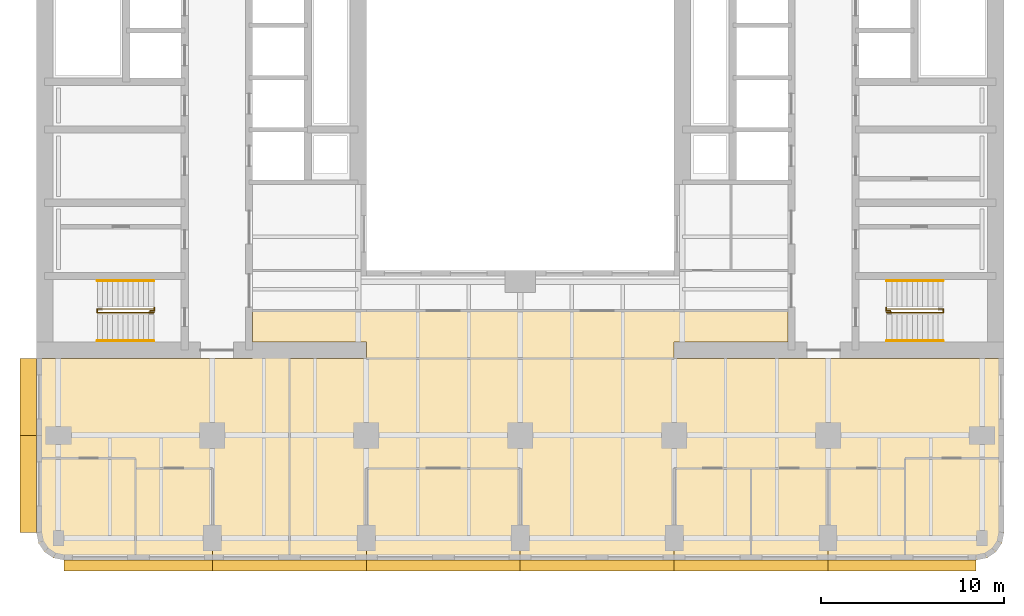
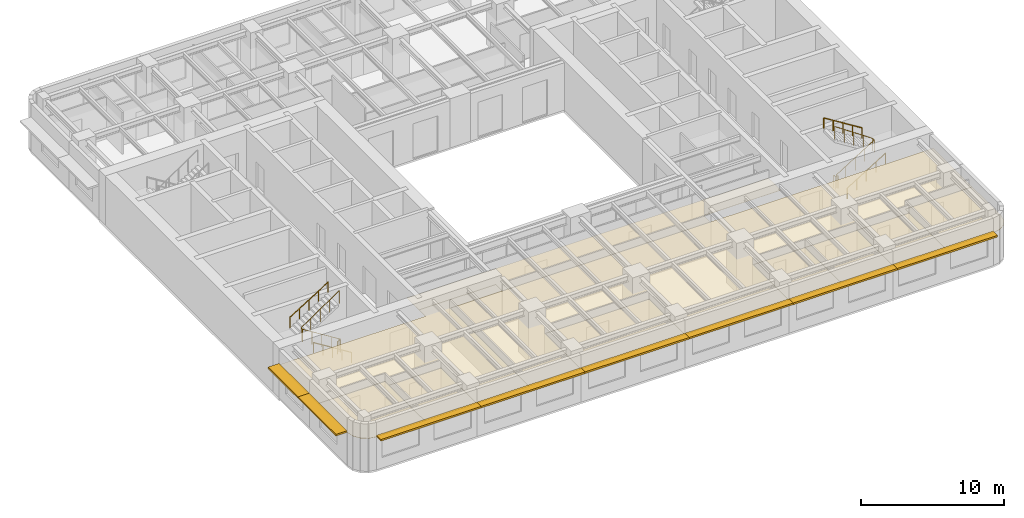
# One storey, part 9 of 11: 10 coverings, 8 railings, 8 shading devices.
"""IFC4 building model written with IfcOpenShell, lengths in metres."""

from ifc_helpers import new_model, si_unit, direction, frame, origin, origin_2d, place, context, subcontext, project, spatial, polyline, rectangle, circle, outline, extrude, material, layer, layer_set, type_object, element, save


model = new_model("IFC4")

# Units and contexts
model_context = context("Model", 3, precision=1e-05, world=origin(), true_north=direction((0.0, 1.0)))
body_context = subcontext(model_context, "Body", "Model", "MODEL_VIEW")
ifc_project = project(units=[si_unit("LENGTHUNIT", "METRE"), si_unit("AREAUNIT", "SQUARE_METRE"), si_unit("VOLUMEUNIT", "CUBIC_METRE"), si_unit("PLANEANGLEUNIT", "RADIAN"), si_unit("MASSUNIT", "GRAM", prefix="KILO")], contexts=[model_context])

# Site, building, storey
site_placement = place(None, origin())
site = spatial("IfcSite", under=ifc_project, at=site_placement, CompositionType="ELEMENT")
building_placement = place(site_placement, origin())
building = spatial("IfcBuilding", under=site, at=building_placement, Name="Claustro Exchange Tower", CompositionType="ELEMENT")
storey_placement = place(building_placement, frame((0.0, 0.0, 126.0)))
storey = spatial("IfcBuildingStorey", under=building, at=storey_placement, Name="L28", CompositionType="ELEMENT", Elevation=126.0)

# Coverings
ifc_material_1 = material(Name="Perforated metal ceiling tiles", Category="steel")
ifc_layer_1 = layer(ifc_material_1, 0.030029296875)
ifc_layer_set_1 = layer_set([ifc_layer_1], Name="Perforated metal ceiling tiles")
covering_type_1 = type_object("IfcCoveringType", Name="CL1 suspended metal ceiling", PredefinedType="CEILING", material=ifc_layer_set_1)
covering_1_placement = place(storey_placement, frame((0.0, 0.0, 2.800048828125)))
element("IfcCovering", 1, at=covering_1_placement, inside=storey, type_object=covering_type_1, Name="Ceiling CL1 L28-09", PredefinedType="CEILING", context=body_context, shape_type="SweptSolid", body=[
    extrude(outline(polyline([(10.60009765625, 12.60009765625), (-1.199951171875, 12.60009765625), (-1.199951171875, 7.14990234375), (4.199951171875, 7.14990234375), (4.199951171875, 6.60009765625), (8.39990234375, 6.60009765625), (8.39990234375, 1.60009765625), (12.60009765625, 1.60009765625), (12.60009765625, 12.60009765625), (16.800048828125, 12.60009765625), (16.800048828125, 13.5), (10.60009765625, 13.5), (10.60009765625, 12.60009765625)])), origin(), (0.0, 0.0, 1.0), 0.030029296875),
])
ifc_material_2 = material(Name="Gypsum board ceiling", Category="gypsum board")
ifc_layer_2 = layer(ifc_material_2, 0.02490234375)
ifc_layer_set_2 = layer_set([ifc_layer_2], Name="Gypsum board ceiling")
covering_type_2 = type_object("IfcCoveringType", Name="CL2 plasterboard ceiling", PredefinedType="CEILING", material=ifc_layer_set_2)
covering_2_placement = place(storey_placement, frame((0.0, 0.0, 2.800048828125)))
element("IfcCovering", 2, at=covering_2_placement, inside=storey, type_object=covering_type_2, Name="Ceiling CL2 L28-01", PredefinedType="CEILING", context=body_context, shape_type="SweptSolid", body=[
    extrude(outline(polyline([(4.199951171875, 1.60009765625), (8.39990234375, 1.60009765625), (8.39990234375, 6.60009765625), (4.199951171875, 6.60009765625), (4.199951171875, 1.60009765625)])), origin(), (0.0, 0.0, 1.0), 0.02490234375),
])
covering_3_placement = place(storey_placement, frame((0.0, 0.0, 2.800048828125)))
element("IfcCovering", 3, at=covering_3_placement, inside=storey, type_object=covering_type_2, Name="Ceiling CL2 L28-02", PredefinedType="CEILING", context=body_context, shape_type="SweptSolid", body=[
    extrude(outline(polyline([(16.800048828125, 1.60009765625), (25.199951171875, 1.60009765625), (25.199951171875, 6.60009765625), (16.800048828125, 6.60009765625), (16.800048828125, 1.60009765625)])), origin(), (0.0, 0.0, 1.0), 0.02490234375),
])
covering_4_placement = place(storey_placement, frame((0.0, 0.0, 2.800048828125)))
element("IfcCovering", 4, at=covering_4_placement, inside=storey, type_object=covering_type_2, Name="Ceiling CL2 L28-03", PredefinedType="CEILING", context=body_context, shape_type="SweptSolid", body=[
    extrude(outline(polyline([(33.60009765625, 1.60009765625), (37.800048828125, 1.60009765625), (37.800048828125, 6.60009765625), (33.60009765625, 6.60009765625), (33.60009765625, 1.60009765625)])), origin(), (0.0, 0.0, 1.0), 0.02490234375),
])
covering_5_placement = place(storey_placement, frame((0.0, 0.0, 2.800048828125)))
element("IfcCovering", 5, at=covering_5_placement, inside=storey, type_object=covering_type_2, Name="Ceiling CL2 L28-04", PredefinedType="CEILING", context=body_context, shape_type="SweptSolid", body=[
    extrude(outline(polyline([(37.800048828125, 1.60009765625), (42.0, 1.60009765625), (42.0, 6.60009765625), (37.800048828125, 6.60009765625), (37.800048828125, 1.60009765625)])), origin(), (0.0, 0.0, 1.0), 0.02490234375),
])
covering_6_placement = place(storey_placement, frame((0.0, 0.0, 2.800048828125)))
element("IfcCovering", 6, at=covering_6_placement, inside=storey, type_object=covering_type_2, Name="Ceiling CL2 L28-05", PredefinedType="CEILING", context=body_context, shape_type="SweptSolid", body=[
    extrude(outline(polyline([(42.0, 1.60009765625), (46.199951171875, 1.60009765625), (46.199951171875, 6.60009765625), (42.0, 6.60009765625), (42.0, 1.60009765625)])), origin(), (0.0, 0.0, 1.0), 0.02490234375),
])
covering_7_placement = place(storey_placement, frame((0.0, 0.0, 2.800048828125)))
element("IfcCovering", 7, at=covering_7_placement, inside=storey, type_object=covering_type_2, Name="Ceiling CL2 L28-06", PredefinedType="CEILING", context=body_context, shape_type="SweptSolid", body=[
    extrude(outline(polyline([(-1.085693359375, 2.52587890625), (-0.7607421875, 2.039306640625), (-0.27392578125, 1.714111328125), (0.300048828125, 1.60009765625), (4.199951171875, 1.60009765625), (4.199951171875, 7.14990234375), (-1.199951171875, 7.14990234375), (-1.199951171875, 3.10009765625), (-1.085693359375, 2.52587890625)])), origin(), (0.0, 0.0, 1.0), 0.02490234375),
])
covering_8_placement = place(storey_placement, frame((0.0, 0.0, 2.800048828125)))
element("IfcCovering", 8, at=covering_8_placement, inside=storey, type_object=covering_type_2, Name="Ceiling CL2 L28-07", PredefinedType="CEILING", context=body_context, shape_type="SweptSolid", body=[
    extrude(outline(polyline([(51.60009765625, 3.10009765625), (51.60009765625, 7.14990234375), (46.199951171875, 7.14990234375), (46.199951171875, 1.60009765625), (50.10009765625, 1.60009765625), (50.674072265625, 1.714111328125), (51.16064453125, 2.039306640625), (51.48583984375, 2.52587890625), (51.60009765625, 3.10009765625)])), origin(), (0.0, 0.0, 1.0), 0.02490234375),
])
covering_9_placement = place(storey_placement, frame((0.0, 0.0, 2.800048828125)))
element("IfcCovering", 9, at=covering_9_placement, inside=storey, type_object=covering_type_2, Name="Ceiling CL2 L28-08", PredefinedType="CEILING", context=body_context, shape_type="SweptSolid", body=[
    extrude(outline(polyline([(51.60009765625, 12.60009765625), (39.800048828125, 12.60009765625), (12.60009765625, 12.60009765625), (12.60009765625, 1.60009765625), (16.800048828125, 1.60009765625), (16.800048828125, 6.60009765625), (25.199951171875, 6.60009765625), (25.199951171875, 1.60009765625), (33.60009765625, 1.60009765625), (33.60009765625, 6.60009765625), (37.800048828125, 6.60009765625), (42.0, 6.60009765625), (46.199951171875, 6.60009765625), (46.199951171875, 7.14990234375), (51.60009765625, 7.14990234375), (51.60009765625, 12.60009765625)])), origin(), (0.0, 0.0, 1.0), 0.02490234375),
])
covering_10_placement = place(storey_placement, frame((0.0, 0.0, 2.800048828125)))
element("IfcCovering", 10, at=covering_10_placement, inside=storey, type_object=covering_type_2, Name="Ceiling CL2 L28-10", PredefinedType="CEILING", context=body_context, shape_type="SweptSolid", body=[
    extrude(outline(polyline([(10.60009765625, 15.199951171875), (10.60009765625, 13.5), (16.800048828125, 13.5), (16.800048828125, 12.60009765625), (33.60009765625, 12.60009765625), (33.60009765625, 13.5), (39.800048828125, 13.5), (39.800048828125, 15.199951171875), (33.60009765625, 15.199951171875), (16.800048828125, 15.199951171875), (10.60009765625, 15.199951171875)])), origin(), (0.0, 0.0, 1.0), 0.02490234375),
])

# Railings
ifc_material_3 = material(Name="Steel balustrade, painted", Category="steel")
railing_type_1 = type_object("IfcRailingType", Name="GR2 1100 steel stair guard", PredefinedType="GUARDRAIL", material=ifc_material_3)
railing_1_placement = place(storey_placement, frame((5.199951171875, 15.10009765625, 0.175048828125)))
element("IfcRailing", 11, at=railing_1_placement, inside=storey, type_object=railing_type_1, Name="Stair well guard GR2 stair STWA L28", PredefinedType="GUARDRAIL", context=body_context, shape_type="SweptSolid", body=[
    extrude(circle(Radius=0.02392578125, at=origin_2d()), frame((0.0, 0.0, 1.076171875), z_axis=(-0.847979421464, 0.0, 0.530029150871), x_axis=(0.0, -1.0, 0.0)), (0.0, 0.0, 1.0), 3.632080078125),
    extrude(circle(Radius=0.02392578125, at=origin_2d()), frame((-3.079833984375, 0.0, 3.0009765625), z_axis=(0.0, 1.0, 0.0), x_axis=(-1.0, 0.0, 0.0)), (0.0, 0.0, 1.0), 0.199951171875),
    extrude(circle(Radius=0.02392578125, at=origin_2d()), frame((-3.079833984375, 0.199951171875, 3.0009765625), z_axis=(0.826231499792, 0.0, 0.563330727682), x_axis=(0.0, 1.0, 0.0)), (0.0, 0.0, 1.0), 3.7275390625),
    extrude(circle(Radius=0.02099609375, at=origin_2d()), origin(), (0.0, 0.0, 1.0), 1.052001953125),
    extrude(circle(Radius=0.02099609375, at=origin_2d()), frame((-0.77001953125, 0.0, 0.481201171875)), (0.0, 0.0, 1.0), 1.052001953125),
    extrude(circle(Radius=0.02099609375, at=origin_2d()), frame((-1.5400390625, 0.0, 0.96240234375)), (0.0, 0.0, 1.0), 1.052001953125),
    extrude(circle(Radius=0.02099609375, at=origin_2d()), frame((-2.309814453125, 0.0, 1.44384765625)), (0.0, 0.0, 1.0), 1.052001953125),
    extrude(circle(Radius=0.02099609375, at=origin_2d()), frame((-3.079833984375, 0.0, 1.925048828125)), (0.0, 0.0, 1.0), 1.052001953125),
    extrude(circle(Radius=0.02099609375, at=origin_2d()), frame((-3.079833984375, 0.199951171875, 1.925048828125)), (0.0, 0.0, 1.0), 1.052001953125),
    extrude(circle(Radius=0.02099609375, at=origin_2d()), frame((-2.309814453125, 0.199951171875, 2.449951171875)), (0.0, 0.0, 1.0), 1.052001953125),
    extrude(circle(Radius=0.02099609375, at=origin_2d()), frame((-1.5400390625, 0.199951171875, 2.97509765625)), (0.0, 0.0, 1.0), 1.052001953125),
    extrude(circle(Radius=0.02099609375, at=origin_2d()), frame((-0.77001953125, 0.199951171875, 3.5)), (0.0, 0.0, 1.0), 1.052001953125),
    extrude(circle(Radius=0.02099609375, at=origin_2d()), frame((0.0, 0.199951171875, 4.02490234375)), (0.0, 0.0, 1.0), 1.052001953125),
])
railing_2_placement = place(storey_placement, frame((5.0, 15.169921875, 0.0)))
element("IfcRailing", 12, at=railing_2_placement, inside=storey, type_object=railing_type_1, Name="Stair guard GR2 STWA L28", PredefinedType="GUARDRAIL", context=body_context, shape_type="SweptSolid", body=[
    extrude(circle(Radius=0.02392578125, at=origin_2d()), frame((0.0, 0.0, 1.076171875), z_axis=(0.0, 1.0, 0.0), x_axis=(-1.0, 0.0, 0.0)), (0.0, 0.0, 1.0), 0.030029296875),
    extrude(circle(Radius=0.02392578125, at=origin_2d()), frame((0.0, 0.030029296875, 1.076171875), z_axis=(1.0, 0.0, 0.0), x_axis=(0.0, 1.0, 0.0)), (0.0, 0.0, 1.0), 0.22509765625),
    extrude(circle(Radius=0.02392578125, at=origin_2d()), frame((0.22509765625, 0.030029296875, 1.076171875), z_axis=(0.0, 1.0, 0.0), x_axis=(-1.0, 0.0, 0.0)), (0.0, 0.0, 1.0), 0.179931640625),
    extrude(circle(Radius=0.02099609375, at=origin_2d()), origin(), (0.0, 0.0, 1.0), 1.052001953125),
    extrude(circle(Radius=0.02099609375, at=origin_2d()), frame((0.0, 0.030029296875, 0.0)), (0.0, 0.0, 1.0), 1.052001953125),
    extrude(circle(Radius=0.02099609375, at=origin_2d()), frame((0.22509765625, 0.030029296875, 0.0)), (0.0, 0.0, 1.0), 1.052001953125),
    extrude(circle(Radius=0.02099609375, at=origin_2d()), frame((0.22509765625, 0.2099609375, 0.0)), (0.0, 0.0, 1.0), 1.052001953125),
])
railing_3_placement = place(storey_placement, frame((45.199951171875, 15.10009765625, 0.175048828125)))
element("IfcRailing", 13, at=railing_3_placement, inside=storey, type_object=railing_type_1, Name="Stair well guard GR2 stair STEA L28", PredefinedType="GUARDRAIL", context=body_context, shape_type="SweptSolid", body=[
    extrude(circle(Radius=0.02392578125, at=origin_2d()), frame((0.0, 0.0, 1.076171875), z_axis=(0.847998304005, 0.0, 0.529998940003), x_axis=(0.0, 1.0, 0.0)), (0.0, 0.0, 1.0), 3.632080078125),
    extrude(circle(Radius=0.02392578125, at=origin_2d()), frame((3.080078125, 0.0, 3.0009765625), z_axis=(0.0, 1.0, 0.0), x_axis=(-1.0, 0.0, 0.0)), (0.0, 0.0, 1.0), 0.199951171875),
    extrude(circle(Radius=0.02392578125, at=origin_2d()), frame((3.080078125, 0.199951171875, 3.0009765625), z_axis=(-0.826252282691, 0.0, 0.563300244406), x_axis=(0.0, -1.0, 0.0)), (0.0, 0.0, 1.0), 3.727783203125),
    extrude(circle(Radius=0.02099609375, at=origin_2d()), origin(), (0.0, 0.0, 1.0), 1.052001953125),
    extrude(circle(Radius=0.02099609375, at=origin_2d()), frame((0.77001953125, 0.0, 0.481201171875)), (0.0, 0.0, 1.0), 1.052001953125),
    extrude(circle(Radius=0.02099609375, at=origin_2d()), frame((1.5400390625, 0.0, 0.96240234375)), (0.0, 0.0, 1.0), 1.052001953125),
    extrude(circle(Radius=0.02099609375, at=origin_2d()), frame((2.31005859375, 0.0, 1.44384765625)), (0.0, 0.0, 1.0), 1.052001953125),
    extrude(circle(Radius=0.02099609375, at=origin_2d()), frame((3.080078125, 0.0, 1.925048828125)), (0.0, 0.0, 1.0), 1.052001953125),
    extrude(circle(Radius=0.02099609375, at=origin_2d()), frame((3.080078125, 0.199951171875, 1.925048828125)), (0.0, 0.0, 1.0), 1.052001953125),
    extrude(circle(Radius=0.02099609375, at=origin_2d()), frame((2.31005859375, 0.199951171875, 2.449951171875)), (0.0, 0.0, 1.0), 1.052001953125),
    extrude(circle(Radius=0.02099609375, at=origin_2d()), frame((1.5400390625, 0.199951171875, 2.97509765625)), (0.0, 0.0, 1.0), 1.052001953125),
    extrude(circle(Radius=0.02099609375, at=origin_2d()), frame((0.77001953125, 0.199951171875, 3.5)), (0.0, 0.0, 1.0), 1.052001953125),
    extrude(circle(Radius=0.02099609375, at=origin_2d()), frame((0.0, 0.199951171875, 4.02490234375)), (0.0, 0.0, 1.0), 1.052001953125),
])
railing_4_placement = place(storey_placement, frame((45.39990234375, 15.169921875, 0.0)))
element("IfcRailing", 14, at=railing_4_placement, inside=storey, type_object=railing_type_1, Name="Stair guard GR2 STEA L28", PredefinedType="GUARDRAIL", context=body_context, shape_type="SweptSolid", body=[
    extrude(circle(Radius=0.02392578125, at=origin_2d()), frame((0.0, 0.0, 1.076171875), z_axis=(0.0, 1.0, 0.0), x_axis=(-1.0, 0.0, 0.0)), (0.0, 0.0, 1.0), 0.030029296875),
    extrude(circle(Radius=0.02392578125, at=origin_2d()), frame((0.0, 0.030029296875, 1.076171875), z_axis=(-1.0, 0.0, 0.0), x_axis=(0.0, -1.0, 0.0)), (0.0, 0.0, 1.0), 0.224853515625),
    extrude(circle(Radius=0.02392578125, at=origin_2d()), frame((-0.224853515625, 0.030029296875, 1.076171875), z_axis=(0.0, 1.0, 0.0), x_axis=(-1.0, 0.0, 0.0)), (0.0, 0.0, 1.0), 0.179931640625),
    extrude(circle(Radius=0.02099609375, at=origin_2d()), origin(), (0.0, 0.0, 1.0), 1.052001953125),
    extrude(circle(Radius=0.02099609375, at=origin_2d()), frame((0.0, 0.030029296875, 0.0)), (0.0, 0.0, 1.0), 1.052001953125),
    extrude(circle(Radius=0.02099609375, at=origin_2d()), frame((-0.224853515625, 0.030029296875, 0.0)), (0.0, 0.0, 1.0), 1.052001953125),
    extrude(circle(Radius=0.02099609375, at=origin_2d()), frame((-0.224853515625, 0.2099609375, 0.0)), (0.0, 0.0, 1.0), 1.052001953125),
])
ifc_material_4 = material(Name="Stainless steel tube", Category="steel")
railing_type_2 = type_object("IfcRailingType", Name="HR1 900 stair handrail", PredefinedType="HANDRAIL", material=ifc_material_4)
railing_5_placement = place(storey_placement, frame((5.199951171875, 13.56005859375, 0.175048828125)))
element("IfcRailing", 15, at=railing_5_placement, inside=storey, type_object=railing_type_2, Name="Handrail HR1 stair STWA L28", PredefinedType="HANDRAIL", context=body_context, shape_type="SweptSolid", body=[
    extrude(circle(Radius=0.02392578125, at=origin_2d()), frame((0.0, 0.0, 0.8759765625), z_axis=(-0.847979421464, 0.0, 0.530029150871), x_axis=(0.0, -1.0, 0.0)), (0.0, 0.0, 1.0), 3.632080078125),
    extrude(circle(Radius=0.02099609375, at=origin_2d()), origin(), (0.0, 0.0, 1.0), 0.851806640625),
    extrude(circle(Radius=0.02099609375, at=origin_2d()), frame((-0.77001953125, 0.0, 0.481201171875)), (0.0, 0.0, 1.0), 0.851806640625),
    extrude(circle(Radius=0.02099609375, at=origin_2d()), frame((-1.5400390625, 0.0, 0.96240234375)), (0.0, 0.0, 1.0), 0.851806640625),
    extrude(circle(Radius=0.02099609375, at=origin_2d()), frame((-2.309814453125, 0.0, 1.44384765625)), (0.0, 0.0, 1.0), 0.851806640625),
    extrude(circle(Radius=0.02099609375, at=origin_2d()), frame((-3.079833984375, 0.0, 1.925048828125)), (0.0, 0.0, 1.0), 0.851806640625),
])
railing_6_placement = place(storey_placement, frame((2.1201171875, 16.840087890625, 2.27490234375)))
element("IfcRailing", 16, at=railing_6_placement, inside=storey, type_object=railing_type_2, Name="Handrail HR1 stair STWA L28", PredefinedType="HANDRAIL", context=body_context, shape_type="SweptSolid", body=[
    extrude(circle(Radius=0.02392578125, at=origin_2d()), frame((0.0, 0.0, 0.8759765625), z_axis=(0.847979421464, 0.0, 0.530029150871), x_axis=(0.0, 1.0, 0.0)), (0.0, 0.0, 1.0), 3.632080078125),
    extrude(circle(Radius=0.02099609375, at=origin_2d()), origin(), (0.0, 0.0, 1.0), 0.851806640625),
    extrude(circle(Radius=0.02099609375, at=origin_2d()), frame((0.77001953125, 0.0, 0.481201171875)), (0.0, 0.0, 1.0), 0.851806640625),
    extrude(circle(Radius=0.02099609375, at=origin_2d()), frame((1.5400390625, 0.0, 0.96240234375)), (0.0, 0.0, 1.0), 0.851806640625),
    extrude(circle(Radius=0.02099609375, at=origin_2d()), frame((2.309814453125, 0.0, 1.44384765625)), (0.0, 0.0, 1.0), 0.851806640625),
    extrude(circle(Radius=0.02099609375, at=origin_2d()), frame((3.079833984375, 0.0, 1.925048828125)), (0.0, 0.0, 1.0), 0.851806640625),
])
railing_7_placement = place(storey_placement, frame((45.199951171875, 13.56005859375, 0.175048828125)))
element("IfcRailing", 17, at=railing_7_placement, inside=storey, type_object=railing_type_2, Name="Handrail HR1 stair STEA L28", PredefinedType="HANDRAIL", context=body_context, shape_type="SweptSolid", body=[
    extrude(circle(Radius=0.02392578125, at=origin_2d()), frame((0.0, 0.0, 0.8759765625), z_axis=(0.847998304005, 0.0, 0.529998940003), x_axis=(0.0, 1.0, 0.0)), (0.0, 0.0, 1.0), 3.632080078125),
    extrude(circle(Radius=0.02099609375, at=origin_2d()), origin(), (0.0, 0.0, 1.0), 0.851806640625),
    extrude(circle(Radius=0.02099609375, at=origin_2d()), frame((0.77001953125, 0.0, 0.481201171875)), (0.0, 0.0, 1.0), 0.851806640625),
    extrude(circle(Radius=0.02099609375, at=origin_2d()), frame((1.5400390625, 0.0, 0.96240234375)), (0.0, 0.0, 1.0), 0.851806640625),
    extrude(circle(Radius=0.02099609375, at=origin_2d()), frame((2.31005859375, 0.0, 1.44384765625)), (0.0, 0.0, 1.0), 0.851806640625),
    extrude(circle(Radius=0.02099609375, at=origin_2d()), frame((3.080078125, 0.0, 1.925048828125)), (0.0, 0.0, 1.0), 0.851806640625),
])
railing_8_placement = place(storey_placement, frame((48.280029296875, 16.840087890625, 2.27490234375)))
element("IfcRailing", 18, at=railing_8_placement, inside=storey, type_object=railing_type_2, Name="Handrail HR1 stair STEA L28", PredefinedType="HANDRAIL", context=body_context, shape_type="SweptSolid", body=[
    extrude(circle(Radius=0.02392578125, at=origin_2d()), frame((0.0, 0.0, 0.8759765625), z_axis=(-0.847998304005, 0.0, 0.529998940003), x_axis=(0.0, -1.0, 0.0)), (0.0, 0.0, 1.0), 3.632080078125),
    extrude(circle(Radius=0.02099609375, at=origin_2d()), origin(), (0.0, 0.0, 1.0), 0.851806640625),
    extrude(circle(Radius=0.02099609375, at=origin_2d()), frame((-0.77001953125, 0.0, 0.481201171875)), (0.0, 0.0, 1.0), 0.851806640625),
    extrude(circle(Radius=0.02099609375, at=origin_2d()), frame((-1.5400390625, 0.0, 0.96240234375)), (0.0, 0.0, 1.0), 0.851806640625),
    extrude(circle(Radius=0.02099609375, at=origin_2d()), frame((-2.31005859375, 0.0, 1.44384765625)), (0.0, 0.0, 1.0), 0.851806640625),
    extrude(circle(Radius=0.02099609375, at=origin_2d()), frame((-3.080078125, 0.0, 1.925048828125)), (0.0, 0.0, 1.0), 0.851806640625),
])

# Shading devices
ifc_material_5 = material(Name="Concrete HA-40 (C40/50), precast, white cement, acid-etched", Category="concrete")
ifc_layer_3 = layer(ifc_material_5, 0.14990234375)
ifc_layer_set_3 = layer_set([ifc_layer_3], Name="Concrete HA-40 (C40/50), precast, white cement, acid-etched")
shading_device_type_1 = type_object("IfcShadingDeviceType", Name="SS1 600 precast concrete SUNSHADE", PredefinedType="SHUTTER", material=ifc_layer_set_3)
shading_device_1_placement = place(storey_placement, frame((46.04248046875, 1.300048828125, 2.800048828125), z_axis=(0.0, 0.0, 1.0), x_axis=(-1.0, 0.0, 0.0)))
element("IfcShadingDevice", 19, at=shading_device_1_placement, inside=storey, type_object=shading_device_type_1, Name="Precast SUNSHADE SS1 L28", PredefinedType="SHUTTER", context=body_context, shape_type="SweptSolid", body=[
    extrude(rectangle(XDim=8.085205078125, YDim=0.60009765625, at=origin_2d()), origin(), (0.0, 0.0, 1.0), 0.14990234375),
])
for number, where, z_axis, x_axis, name in (
    (20, (37.800048828125, 1.300048828125, 2.800048828125), (0.0, 0.0, 1.0), (-1.0, 0.0, 0.0), "Precast SUNSHADE SS1 L28"),
    (21, (29.39990234375, 1.300048828125, 2.800048828125), (0.0, 0.0, 1.0), (-1.0, 0.0, 0.0), "Precast SUNSHADE SS1 L28"),
    (22, (21.0, 1.300048828125, 2.800048828125), (0.0, 0.0, 1.0), (-1.0, 0.0, 0.0), "Precast SUNSHADE SS1 L28"),
    (23, (12.60009765625, 1.300048828125, 2.800048828125), (0.0, 0.0, 1.0), (-1.0, 0.0, 0.0), "Precast SUNSHADE SS1 L28"),
):
    element("IfcShadingDevice", number, at=place(storey_placement, frame(where, z_axis=z_axis, x_axis=x_axis)), inside=storey, type_object=shading_device_type_1, Name=name, PredefinedType="SHUTTER", context=body_context, shape_type="SweptSolid", body=[
        extrude(rectangle(XDim=8.39990234375, YDim=0.60009765625, at=origin_2d()), origin(), (0.0, 0.0, 1.0), 0.14990234375),
    ])
shading_device_2_placement = place(storey_placement, frame((4.357421875, 1.300048828125, 2.800048828125), z_axis=(0.0, 0.0, 1.0), x_axis=(-1.0, 0.0, 0.0)))
element("IfcShadingDevice", 24, at=shading_device_2_placement, inside=storey, type_object=shading_device_type_1, Name="Precast SUNSHADE SS1 L28", PredefinedType="SHUTTER", context=body_context, shape_type="SweptSolid", body=[
    extrude(rectangle(XDim=8.085205078125, YDim=0.60009765625, at=origin_2d()), origin(), (0.0, 0.0, 1.0), 0.14990234375),
])
ifc_material_6 = material(Name="Concrete HA-40 (C40/50), precast, white cement, acid-etched", Category="concrete")
ifc_layer_4 = layer(ifc_material_6, 0.14990234375)
ifc_layer_set_4 = layer_set([ifc_layer_4], Name="Concrete HA-40 (C40/50), precast, white cement, acid-etched")
shading_device_type_2 = type_object("IfcShadingDeviceType", Name="SS2 900 precast concrete SUNSHADE", PredefinedType="SHUTTER", material=ifc_layer_set_4)
shading_device_3_placement = place(storey_placement, frame((-1.64990234375, 5.75732421875, 2.800048828125), z_axis=(0.0, 0.0, 1.0), x_axis=(0.0, 1.0, 0.0)))
element("IfcShadingDevice", 25, at=shading_device_3_placement, inside=storey, type_object=shading_device_type_2, Name="Precast SUNSHADE SS2 L28", PredefinedType="SHUTTER", context=body_context, shape_type="SweptSolid", body=[
    extrude(rectangle(XDim=5.28515625, YDim=0.89990234375, at=origin_2d()), origin(), (0.0, 0.0, 1.0), 0.14990234375),
])
shading_device_4_placement = place(storey_placement, frame((-1.64990234375, 10.5, 2.800048828125), z_axis=(0.0, 0.0, 1.0), x_axis=(0.0, 1.0, 0.0)))
element("IfcShadingDevice", 26, at=shading_device_4_placement, inside=storey, type_object=shading_device_type_2, Name="Precast SUNSHADE SS2 L28", PredefinedType="SHUTTER", context=body_context, shape_type="SweptSolid", body=[
    extrude(rectangle(XDim=4.199951171875, YDim=0.89990234375, at=origin_2d()), origin(), (0.0, 0.0, 1.0), 0.14990234375),
])

save(model, "model.ifc")
